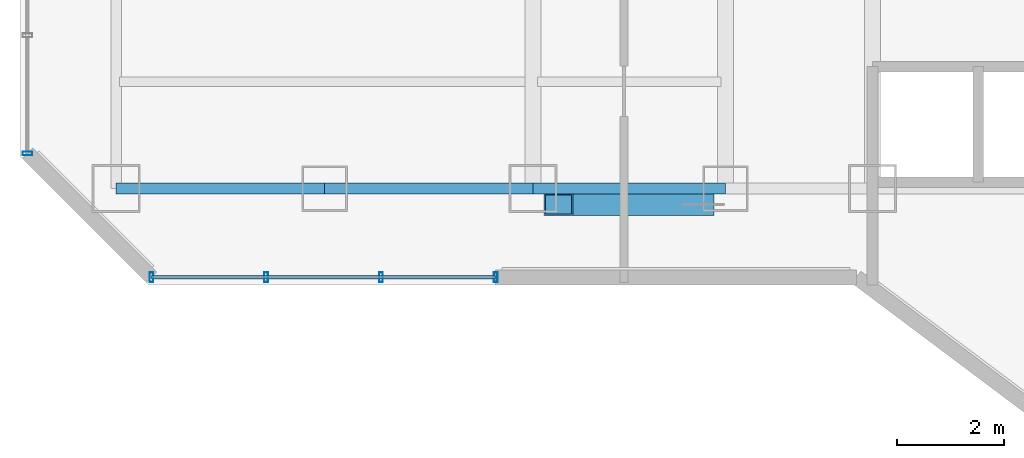
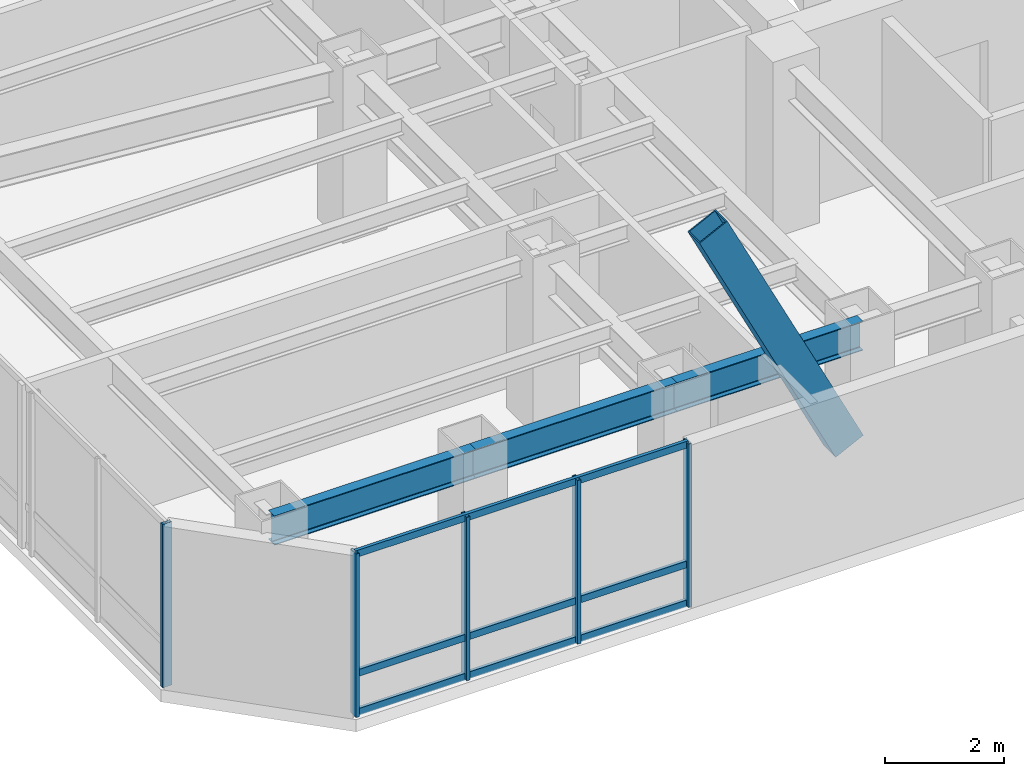
# One storey, part 2 of 30: 9 members, 3 beams, 2 elements without a shape of their own.
"""IFC4 building model written with IfcOpenShell, lengths in metres."""

from ifc_helpers import new_model, si_unit, direction, frame, origin, origin_2d, place, context, subcontext, project, spatial, hollow_rectangle, i_section, extrude, material, layer, layer_set, material_profile, profile_set, type_object, element, aggregate, save


model = new_model("IFC4")

# Units and contexts
model_context = context("Model", 3, precision=1e-05, world=origin(), true_north=direction((0.0, 1.0)))
body_context = subcontext(model_context, "Body", "Model", "MODEL_VIEW")
ifc_project = project(units=[si_unit("LENGTHUNIT", "METRE"), si_unit("AREAUNIT", "SQUARE_METRE"), si_unit("VOLUMEUNIT", "CUBIC_METRE"), si_unit("PLANEANGLEUNIT", "RADIAN"), si_unit("MASSUNIT", "GRAM", prefix="KILO")], contexts=[model_context])

# Site, building, storey
site_placement = place(None, origin())
site = spatial("IfcSite", under=ifc_project, at=site_placement, CompositionType="ELEMENT")
building_placement = place(site_placement, origin())
building = spatial("IfcBuilding", under=site, at=building_placement, Name="Hatsunagi Terrace Concourse", CompositionType="ELEMENT")
storey_placement = place(building_placement, frame((0.0, 0.0, 101.25)))
storey = spatial("IfcBuildingStorey", under=building, at=storey_placement, Name="L26", CompositionType="ELEMENT", Elevation=101.25)

# Curtain wall, members
ifc_material_1 = material(Name="Anodised Aluminium Alloy 6063-T5", Category="aluminium")
ifc_layer = layer(ifc_material_1, 0.199951171875)
ifc_layer_set = layer_set([ifc_layer], Name="OfficeZone1_CW03")
curtain_wall_type = type_object("IfcCurtainWallType", Name="OfficeZone1_CW03", PredefinedType="NOTDEFINED", material=ifc_layer_set)
curtain_wall_1_placement = place(storey_placement, origin())
curtain_wall_1 = element("IfcCurtainWall", 1, at=curtain_wall_1_placement, inside=storey, type_object=curtain_wall_type, Name="Unitised Curtain Wall CW-03 CW-L26-07", PredefinedType="NOTDEFINED")
ifc_material_2 = material(Name="Anodised Aluminium Alloy 6063-T5", Category="aluminium")
ifc_material_profile_1 = material_profile(ifc_material_2, hollow_rectangle(XDim=0.070068359375, YDim=0.179931640625, WallThickness=0.00390625, at=origin_2d()), Name="ALU-MUL-180x70x4")
ifc_profile_set_1 = profile_set([ifc_material_profile_1], Name="Anodised Aluminium Alloy 6063-T5")
member_type_1 = type_object("IfcMemberType", Name="CurtainWallMullion_180x70", PredefinedType="MULLION", material=ifc_profile_set_1)
member_1_placement = place(storey_placement, frame((18.5, 23.5400390625, 0.0), z_axis=(0.0, 0.0, 1.0), x_axis=(-1.0, 0.0, 0.0)))
member_1 = element("IfcMember", 2, at=member_1_placement, type_object=member_type_1, Name="Curtain Wall Mullion MUL-02", PredefinedType="MULLION", context=body_context, shape_type="SweptSolid", body=[
    extrude(hollow_rectangle(XDim=0.070068359375, YDim=0.179931640625, WallThickness=0.00390625, at=origin_2d()), origin(), (0.0, 0.0, 1.0), 3.35009765625),
])
member_2_placement = place(storey_placement, frame((16.35302734375, 23.5400390625, 0.0), z_axis=(0.0, 0.0, 1.0), x_axis=(-1.0, 0.0, 0.0)))
member_2 = element("IfcMember", 3, at=member_2_placement, type_object=member_type_1, Name="Curtain Wall Mullion MUL-02", PredefinedType="MULLION", context=body_context, shape_type="SweptSolid", body=[
    extrude(hollow_rectangle(XDim=0.070068359375, YDim=0.179931640625, WallThickness=0.00390625, at=origin_2d()), origin(), (0.0, 0.0, 1.0), 3.35009765625),
])
member_3_placement = place(storey_placement, frame((14.205078125, 23.5400390625, 0.0), z_axis=(0.0, 0.0, 1.0), x_axis=(-1.0, 0.0, 0.0)))
member_3 = element("IfcMember", 4, at=member_3_placement, type_object=member_type_1, Name="Curtain Wall Mullion MUL-02", PredefinedType="MULLION", context=body_context, shape_type="SweptSolid", body=[
    extrude(hollow_rectangle(XDim=0.070068359375, YDim=0.179931640625, WallThickness=0.00390625, at=origin_2d()), origin(), (0.0, 0.0, 1.0), 3.35009765625),
])
member_4_placement = place(storey_placement, frame((12.05810546875, 23.5400390625, 0.0), z_axis=(0.0, 0.0, 1.0), x_axis=(-1.0, 0.0, 0.0)))
member_4 = element("IfcMember", 5, at=member_4_placement, type_object=member_type_1, Name="Curtain Wall Mullion MUL-02", PredefinedType="MULLION", context=body_context, shape_type="SweptSolid", body=[
    extrude(hollow_rectangle(XDim=0.070068359375, YDim=0.179931640625, WallThickness=0.00390625, at=origin_2d()), origin(), (0.0, 0.0, 1.0), 3.35009765625),
])

# Curtain wall, member
curtain_wall_2_placement = place(storey_placement, origin())
curtain_wall_2 = element("IfcCurtainWall", 6, at=curtain_wall_2_placement, inside=storey, type_object=curtain_wall_type, Name="Unitised Curtain Wall CW-03 CW-L26-09", PredefinedType="NOTDEFINED")
member_5_placement = place(storey_placement, frame((9.739990234375, 25.85791015625, 0.0), z_axis=(0.0, 0.0, 1.0), x_axis=(0.0, 1.0, 0.0)))
member_5 = element("IfcMember", 7, at=member_5_placement, type_object=member_type_1, Name="Curtain Wall Mullion MUL-02", PredefinedType="MULLION", context=body_context, shape_type="SweptSolid", body=[
    extrude(hollow_rectangle(XDim=0.070068359375, YDim=0.179931640625, WallThickness=0.00390625, at=origin_2d()), origin(), (0.0, 0.0, 1.0), 3.35009765625),
])
aggregate(curtain_wall_2, [member_5])

# Member
ifc_material_3 = material(Name="Anodised Aluminium Alloy 6063-T5", Category="aluminium")
ifc_material_profile_2 = material_profile(ifc_material_3, hollow_rectangle(XDim=0.06494140625, YDim=0.139892578125, WallThickness=0.00390625, at=origin_2d()), Name="ALU-TRN-140x65x4")
ifc_profile_set_2 = profile_set([ifc_material_profile_2], Name="Anodised Aluminium Alloy 6063-T5")
member_type_2 = type_object("IfcMemberType", Name="CurtainWallTransom_140x65", PredefinedType="USERDEFINED", material=ifc_profile_set_2)
member_6_placement = place(storey_placement, frame((18.5, 23.5400390625, 0.050048828125), z_axis=(-1.0, 0.0, 0.0), x_axis=(0.0, -1.0, 0.0)))
member_6 = element("IfcMember", 8, at=member_6_placement, type_object=member_type_2, Name="Curtain Wall Transom TRN-02", ObjectType="TRANSOM", PredefinedType="USERDEFINED", context=body_context, shape_type="SweptSolid", body=[
    extrude(hollow_rectangle(XDim=0.06494140625, YDim=0.139892578125, WallThickness=0.00390625, at=origin_2d()), origin(), (0.0, 0.0, 1.0), 6.44189453125),
])

member_7_placement = place(storey_placement, frame((18.5, 23.5400390625, 0.85009765625), z_axis=(-1.0, 0.0, 0.0), x_axis=(0.0, -1.0, 0.0)))
member_7 = element("IfcMember", 9, at=member_7_placement, type_object=member_type_2, Name="Curtain Wall Transom TRN-02", ObjectType="TRANSOM", PredefinedType="USERDEFINED", context=body_context, shape_type="SweptSolid", body=[
    extrude(hollow_rectangle(XDim=0.06494140625, YDim=0.139892578125, WallThickness=0.00390625, at=origin_2d()), origin(), (0.0, 0.0, 1.0), 6.44189453125),
])

member_8_placement = place(storey_placement, frame((18.5, 23.5400390625, 3.300048828125), z_axis=(-1.0, 0.0, 0.0), x_axis=(0.0, -1.0, 0.0)))
member_8 = element("IfcMember", 10, at=member_8_placement, type_object=member_type_2, Name="Curtain Wall Transom TRN-02", ObjectType="TRANSOM", PredefinedType="USERDEFINED", context=body_context, shape_type="SweptSolid", body=[
    extrude(hollow_rectangle(XDim=0.06494140625, YDim=0.139892578125, WallThickness=0.00390625, at=origin_2d()), origin(), (0.0, 0.0, 1.0), 6.44189453125),
])

aggregate(curtain_wall_1, [member_1, member_2, member_3, member_4, member_6, member_7, member_8])

# Beams
ifc_material_4 = material(Name="Steel SN490B", Category="steel")
ifc_material_profile_3 = material_profile(ifc_material_4, i_section(OverallWidth=0.199951171875, OverallDepth=0.60009765625, WebThickness=0.010986328125, FlangeThickness=0.01708984375, FilletRadius=0.01806640625, at=origin_2d()), Name="H-600x200x11x17")
ifc_profile_set_3 = profile_set([ifc_material_profile_3], Name="Steel SN490B")
beam_type = type_object("IfcBeamType", Name="PerimeterSpandrel_H_600x200", PredefinedType="SPANDREL", material=ifc_profile_set_3)
beam_1_placement = place(storey_placement, frame((11.39990234375, 25.199951171875, 3.050048828125), z_axis=(1.0, 0.0, 0.0), x_axis=(0.0, 1.0, 0.0)))
element("IfcBeam", 11, at=beam_1_placement, inside=storey, type_object=beam_type, Name="Beam SP-01 BM-L26-WS-11", PredefinedType="SPANDREL", context=body_context, shape_type="SweptSolid", body=[
    extrude(i_section(OverallWidth=0.199951171875, OverallDepth=0.60009765625, WebThickness=0.010986328125, FlangeThickness=0.01708984375, FilletRadius=0.01806640625, at=origin_2d()), origin(), (0.0, 0.0, 1.0), 3.900146484375),
])
beam_2_placement = place(storey_placement, frame((15.300048828125, 25.199951171875, 3.050048828125), z_axis=(1.0, 0.0, 0.0), x_axis=(0.0, 1.0, 0.0)))
element("IfcBeam", 12, at=beam_2_placement, inside=storey, type_object=beam_type, Name="Beam SP-01 BM-L26-WS-15", PredefinedType="SPANDREL", context=body_context, shape_type="SweptSolid", body=[
    extrude(i_section(OverallWidth=0.199951171875, OverallDepth=0.60009765625, WebThickness=0.010986328125, FlangeThickness=0.01708984375, FilletRadius=0.01806640625, at=origin_2d()), origin(), (0.0, 0.0, 1.0), 3.89990234375),
])
beam_3_placement = place(storey_placement, frame((19.199951171875, 25.199951171875, 3.050048828125), z_axis=(1.0, 0.0, 0.0), x_axis=(0.0, 1.0, 0.0)))
element("IfcBeam", 13, at=beam_3_placement, inside=storey, type_object=beam_type, Name="Beam SP-01 BM-L26-WS-19", PredefinedType="SPANDREL", context=body_context, shape_type="SweptSolid", body=[
    extrude(i_section(OverallWidth=0.199951171875, OverallDepth=0.60009765625, WebThickness=0.010986328125, FlangeThickness=0.01708984375, FilletRadius=0.01806640625, at=origin_2d()), origin(), (0.0, 0.0, 1.0), 3.60009765625),
])

# Member
ifc_material_5 = material(Name="Steel SN490B", Category="steel")
ifc_material_profile_4 = material_profile(ifc_material_5, hollow_rectangle(XDim=0.39990234375, YDim=0.60009765625, WallThickness=0.02490234375, at=origin_2d()), Name="RHS-600x400x25")
ifc_profile_set_4 = profile_set([ifc_material_profile_4], Name="Steel SN490B")
member_type_3 = type_object("IfcMemberType", Name="PerimeterXBrace_Mid_RHS_600x400x25", PredefinedType="BRACE", material=ifc_profile_set_4)
member_9_placement = place(storey_placement, frame((19.675048828125, 24.89990234375, 6.510009765625), z_axis=(0.444906255561, 0.0, -0.895577145623), x_axis=(0.0, 1.0, 0.0)))
element("IfcMember", 14, at=member_9_placement, inside=storey, type_object=member_type_3, Name="Perimeter X-Brace Split Upper XB-02 XB-L25-W1B1", PredefinedType="BRACE", context=body_context, shape_type="SweptSolid", body=[
    extrude(hollow_rectangle(XDim=0.39990234375, YDim=0.60009765625, WallThickness=0.02490234375, at=origin_2d()), origin(), (0.0, 0.0, 1.0), 5.92919921875),
])

save(model, "model.ifc")
